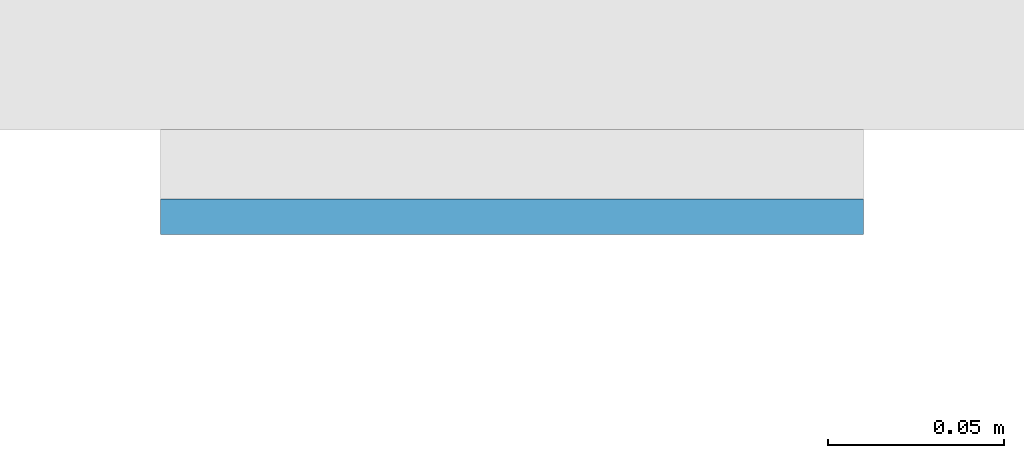
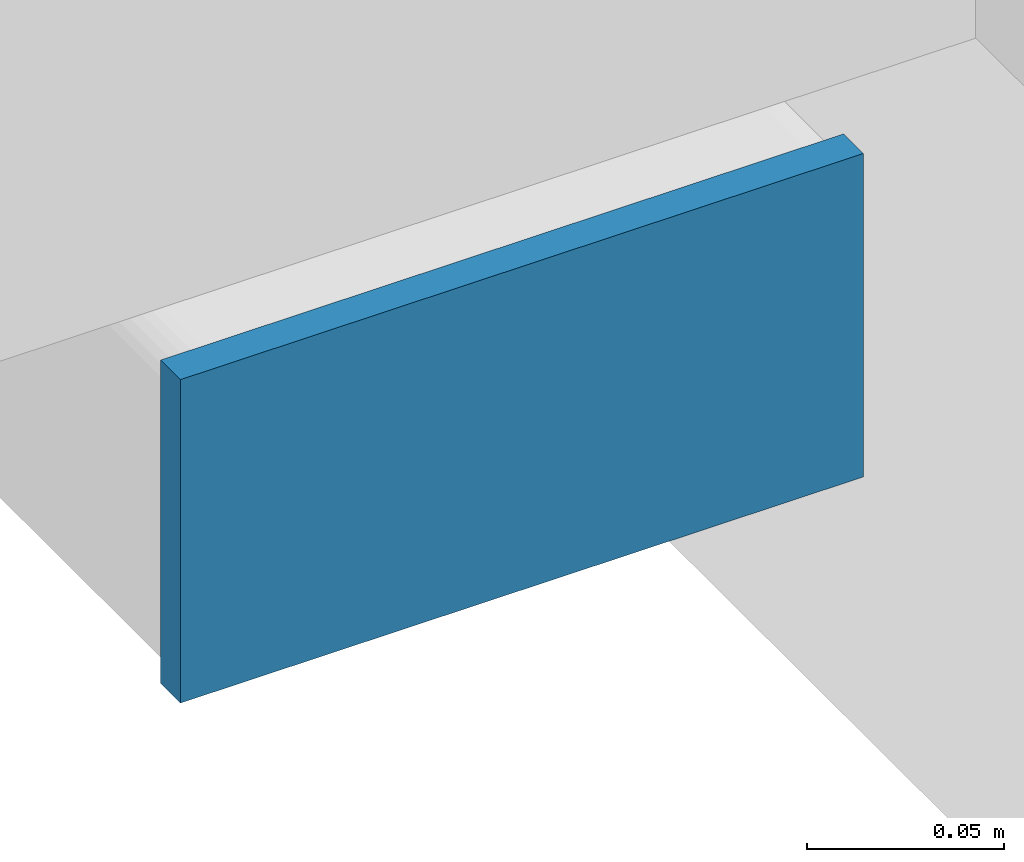
# One storey, part 8 of 20: 1 plate.
"""IFC4 building model written with IfcOpenShell, lengths in metres."""

from ifc_helpers import new_model, si_unit, direction, frame, origin, origin_2d, place, context, subcontext, project, spatial, rectangle, extrude, material, layer, layer_set, type_object, element, save


model = new_model("IFC4")

# Units and contexts
model_context = context("Model", 3, precision=1e-05, world=origin(), true_north=direction((0.0, 1.0)))
body_context = subcontext(model_context, "Body", "Model", "MODEL_VIEW")
ifc_project = project(units=[si_unit("LENGTHUNIT", "METRE"), si_unit("AREAUNIT", "SQUARE_METRE"), si_unit("VOLUMEUNIT", "CUBIC_METRE"), si_unit("PLANEANGLEUNIT", "RADIAN"), si_unit("MASSUNIT", "GRAM", prefix="KILO")], contexts=[model_context])

# Site, building, storey
site_placement = place(None, origin())
site = spatial("IfcSite", under=ifc_project, at=site_placement, CompositionType="ELEMENT")
building_placement = place(site_placement, origin())
building = spatial("IfcBuilding", under=site, at=building_placement, Name="Cleftline Residences", CompositionType="ELEMENT")
storey_placement = place(building_placement, frame((0.0, 0.0, 69.199951171875)))
storey = spatial("IfcBuildingStorey", under=building, at=storey_placement, Name="L17", CompositionType="ELEMENT", Elevation=69.199951171875)

# Plate
ifc_material = material(Name="Steel S355, hot-dip galvanised", Category="steel")
ifc_layer = layer(ifc_material, 0.010009765625)
ifc_layer_set = layer_set([ifc_layer], Name="BAGUETTE CARRIER END PLATE 200X100X10")
plate_type = type_object("IfcPlateType", Name="BAGUETTE CARRIER END PLATE 200X100X10", PredefinedType="USERDEFINED", material=ifc_layer_set)
plate_placement = place(storey_placement, frame((-0.85009765625, 3.695068359375, -0.10009765625), z_axis=(0.0, 0.0, 1.0), x_axis=(-1.0, 0.0, 0.0)))
element("IfcPlate", 1, at=plate_placement, inside=storey, type_object=plate_type, Name="Baguette carrier end plate", ObjectType="BAGUETTE CARRIER END PLATE", PredefinedType="USERDEFINED", context=body_context, shape_type="SweptSolid", body=[
    extrude(rectangle(XDim=0.199951171875, YDim=0.010009765625, at=origin_2d()), origin(), (0.0, 0.0, 1.0), 0.10009765625),
])

save(model, "model.ifc")
